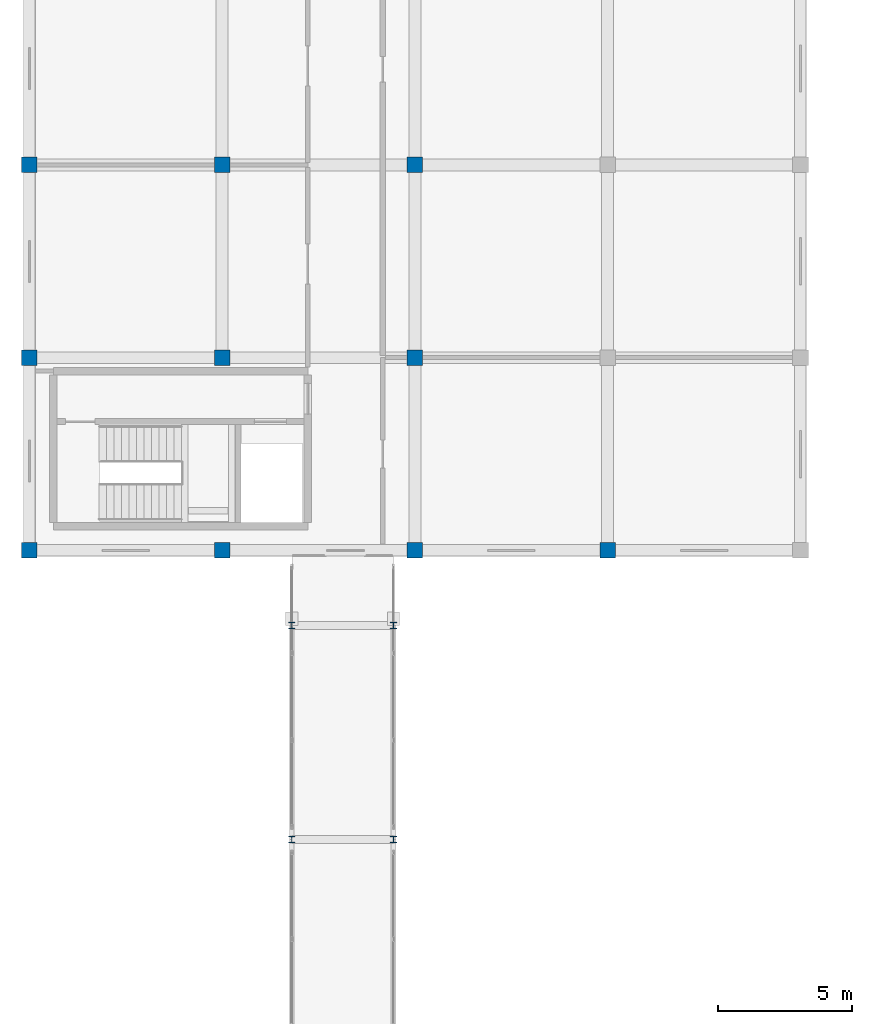
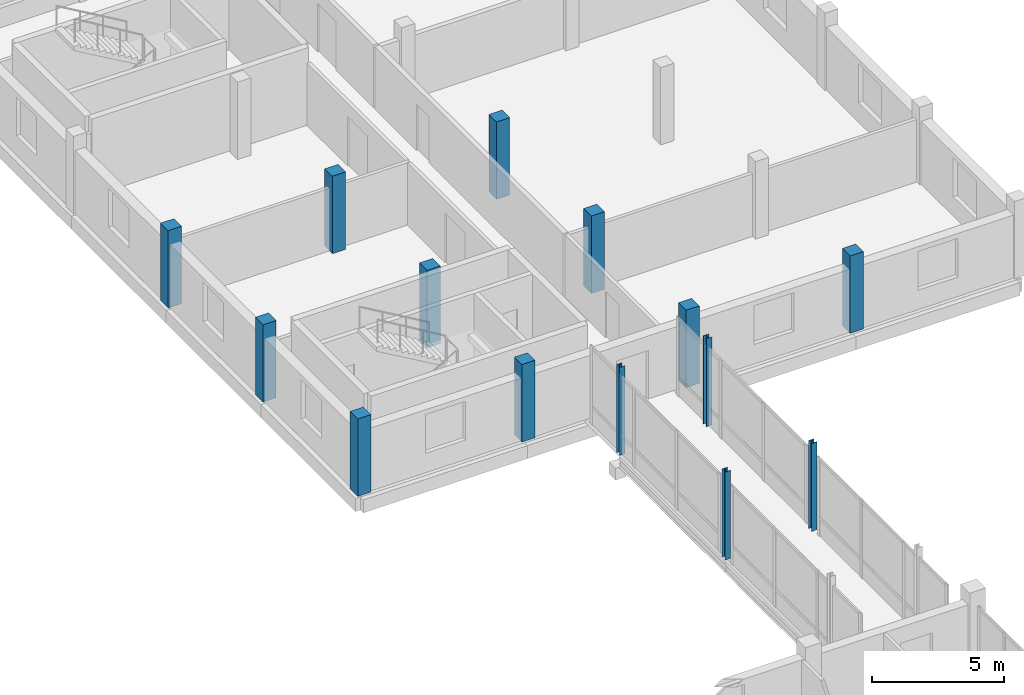
# One storey, part 6 of 128: 14 columns.
"""IFC4 building model written with IfcOpenShell, lengths in metres."""

from ifc_helpers import new_model, si_unit, direction, frame, origin, origin_2d, place, context, subcontext, project, spatial, rectangle, i_section, extrude, material, material_profile, profile_set, type_object, element, save


model = new_model("IFC4")

# Units and contexts
model_context = context("Model", 3, precision=1e-05, world=origin(), true_north=direction((0.0, 1.0)))
body_context = subcontext(model_context, "Body", "Model", "MODEL_VIEW")
ifc_project = project(units=[si_unit("LENGTHUNIT", "METRE"), si_unit("AREAUNIT", "SQUARE_METRE"), si_unit("VOLUMEUNIT", "CUBIC_METRE"), si_unit("PLANEANGLEUNIT", "RADIAN"), si_unit("MASSUNIT", "GRAM", prefix="KILO")], contexts=[model_context])

# Site, building, storey
site_placement = place(None, origin())
site = spatial("IfcSite", under=ifc_project, at=site_placement, CompositionType="ELEMENT")
building_placement = place(site_placement, origin())
building = spatial("IfcBuilding", under=site, at=building_placement, Name="Zornivar Specialist Clinic", CompositionType="ELEMENT")
storey_placement = place(building_placement, frame((0.0, 0.0, 4.5)))
storey = spatial("IfcBuildingStorey", under=building, at=storey_placement, Name="L01", CompositionType="ELEMENT", Elevation=4.5)

# Columns
ifc_material_1 = material(Name="Concrete C35/45", Category="concrete")
ifc_material_profile_1 = material_profile(ifc_material_1, rectangle(XDim=0.580078125, YDim=0.580078125, at=origin_2d()), Name="RC 580x580")
ifc_profile_set_1 = profile_set([ifc_material_profile_1], Name="Concrete C35/45")
column_type_1 = type_object("IfcColumnType", Name="COL-RC-580", PredefinedType="COLUMN", material=ifc_profile_set_1)
for number, where, z_axis, x_axis, name in (
    (1, (0.0, 79.199951171875, 0.0), (0.0, 0.0, 1.0), (1.0, 0.0, 0.0), "col:V5:L01:0_792"),
    (2, (0.0, 86.39990234375, 0.0), (0.0, 0.0, 1.0), (1.0, 0.0, 0.0), "col:V5:L01:0_864"),
    (3, (0.0, 93.60009765625, 0.0), (0.0, 0.0, 1.0), (1.0, 0.0, 0.0), "col:V5:L01:0_936"),
    (4, (7.199951171875, 79.199951171875, 0.0), (0.0, 0.0, 1.0), (1.0, 0.0, 0.0), "col:V5:L01:72_792"),
    (5, (7.199951171875, 86.39990234375, 0.0), (0.0, 0.0, 1.0), (1.0, 0.0, 0.0), "col:V5:L01:72_864"),
    (6, (7.199951171875, 93.60009765625, 0.0), (0.0, 0.0, 1.0), (1.0, 0.0, 0.0), "col:V5:L01:72_936"),
    (7, (14.39990234375, 79.199951171875, 0.0), (0.0, 0.0, 1.0), (1.0, 0.0, 0.0), "col:V5:L01:144_792"),
    (8, (14.39990234375, 86.39990234375, 0.0), (0.0, 0.0, 1.0), (1.0, 0.0, 0.0), "col:V5:L01:144_864"),
    (9, (14.39990234375, 93.60009765625, 0.0), (0.0, 0.0, 1.0), (1.0, 0.0, 0.0), "col:V5:L01:144_936"),
    (10, (21.60009765625, 79.199951171875, 0.0), (0.0, 0.0, 1.0), (1.0, 0.0, 0.0), "col:V5:L01:216_792"),
):
    element("IfcColumn", number, at=place(storey_placement, frame(where, z_axis=z_axis, x_axis=x_axis)), inside=storey, type_object=column_type_1, Name=name, PredefinedType="COLUMN", context=body_context, shape_type="SweptSolid", body=[
        extrude(rectangle(XDim=0.580078125, YDim=0.580078125, at=origin_2d()), origin(), (0.0, 0.0, 1.0), 3.590087890625),
    ])
ifc_material_2 = material(Name="Steel S355J2", Category="steel")
ifc_material_profile_2 = material_profile(ifc_material_2, i_section(OverallWidth=0.239990234375, OverallDepth=0.239990234375, WebThickness=0.010009765625, FlangeThickness=0.01708984375, FilletRadius=0.02099609375, at=origin_2d()), Name="HEB 240")
ifc_profile_set_2 = profile_set([ifc_material_profile_2], Name="Steel S355J2")
column_type_2 = type_object("IfcColumnType", Name="COL-STL-HEB240", PredefinedType="COLUMN", material=ifc_profile_set_2)
for number, where, z_axis, x_axis, name in (
    (11, (9.800048828125, 68.39990234375, 0.0), (0.0, 0.0, 1.0), (1.0, 0.0, 0.0), "col:BR2:L01:98_684"),
    (12, (9.800048828125, 76.39990234375, 0.0), (0.0, 0.0, 1.0), (1.0, 0.0, 0.0), "col:BR2:L01:98_764"),
    (13, (13.60009765625, 68.39990234375, 0.0), (0.0, 0.0, 1.0), (1.0, 0.0, 0.0), "col:BR2:L01:136_684"),
    (14, (13.60009765625, 76.39990234375, 0.0), (0.0, 0.0, 1.0), (1.0, 0.0, 0.0), "col:BR2:L01:136_764"),
):
    element("IfcColumn", number, at=place(storey_placement, frame(where, z_axis=z_axis, x_axis=x_axis)), inside=storey, type_object=column_type_2, Name=name, PredefinedType="COLUMN", context=body_context, shape_type="SweptSolid", body=[
        extrude(i_section(OverallWidth=0.239990234375, OverallDepth=0.239990234375, WebThickness=0.010009765625, FlangeThickness=0.01708984375, FilletRadius=0.02099609375, at=origin_2d()), origin(), (0.0, 0.0, 1.0), 4.080078125),
    ])

save(model, "model.ifc")
